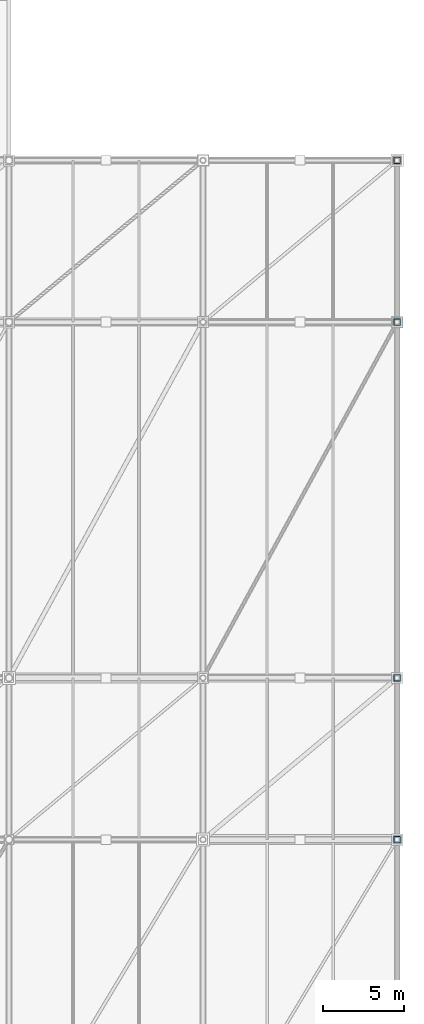
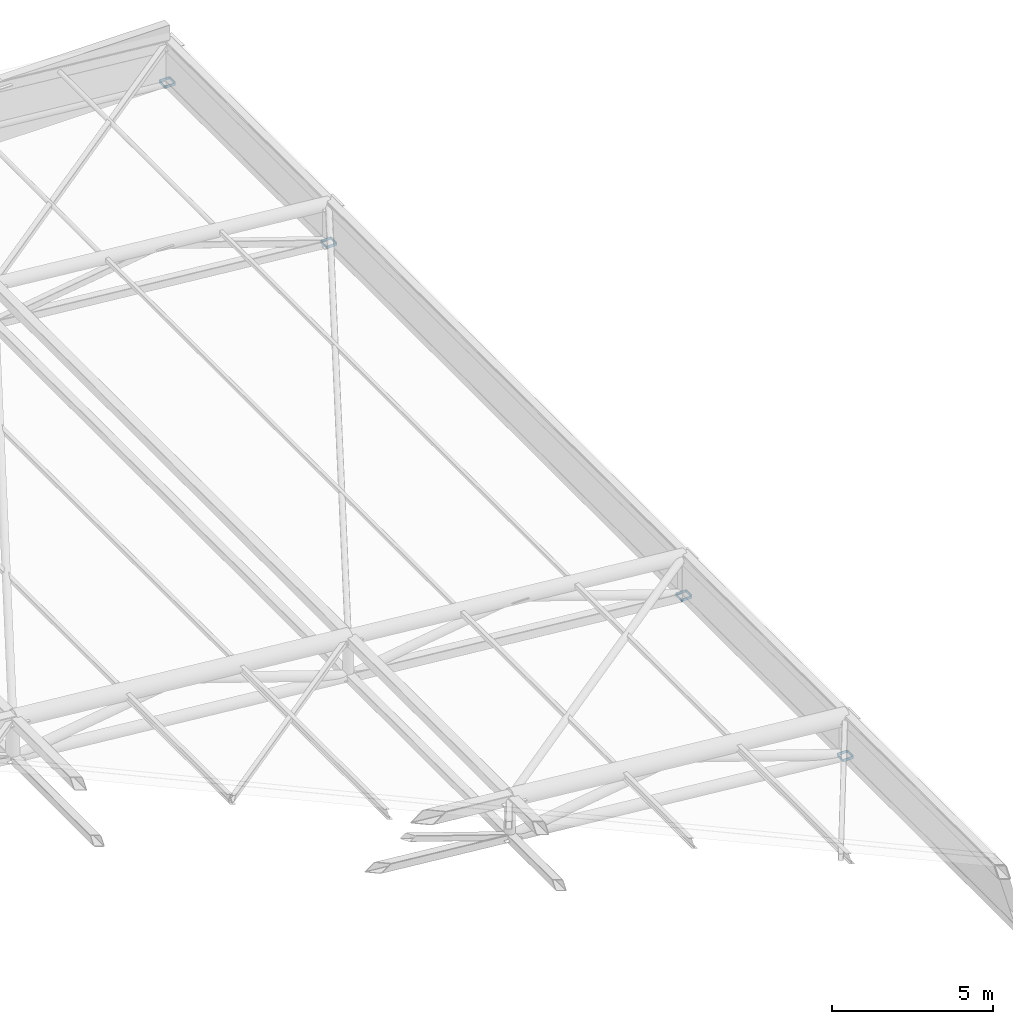
# One storey, part 4 of 44: 4 columns.
"""IFC4 building model written with IfcOpenShell, lengths in metres."""

from ifc_helpers import new_model, si_unit, direction, frame, origin, origin_2d, place, context, subcontext, project, spatial, hollow_rectangle, extrude, material, material_profile, profile_set, type_object, element, save


model = new_model("IFC4")

# Units and contexts
model_context = context("Model", 3, precision=1e-05, world=origin(), true_north=direction((0.0, 1.0)))
body_context = subcontext(model_context, "Body", "Model", "MODEL_VIEW")
ifc_project = project(units=[si_unit("LENGTHUNIT", "METRE"), si_unit("AREAUNIT", "SQUARE_METRE"), si_unit("VOLUMEUNIT", "CUBIC_METRE"), si_unit("PLANEANGLEUNIT", "RADIAN"), si_unit("MASSUNIT", "GRAM", prefix="KILO")], contexts=[model_context])

# Site, building, storey
site_placement = place(None, origin())
site = spatial("IfcSite", under=ifc_project, at=site_placement, CompositionType="ELEMENT")
building_placement = place(site_placement, origin())
building = spatial("IfcBuilding", under=site, at=building_placement, Name="Brinegate Civic Arena", CompositionType="ELEMENT")
storey_placement = place(building_placement, frame((0.0, 0.0, 29.39990234375)))
storey = spatial("IfcBuildingStorey", under=building, at=storey_placement, Name="RF", CompositionType="ELEMENT", Elevation=29.39990234375)

# Columns
ifc_material = material(Name="Steel S355", Category="steel")
ifc_material_profile = material_profile(ifc_material, hollow_rectangle(XDim=0.39990234375, YDim=0.39990234375, WallThickness=0.02001953125, InnerFilletRadius=0.02001953125, OuterFilletRadius=0.0400390625, at=origin_2d()), Name="SHS400X20")
ifc_profile_set = profile_set([ifc_material_profile], Name="Steel S355")
column_type = type_object("IfcColumnType", Name="COL-SC03-SHS400", PredefinedType="COLUMN", material=ifc_profile_set)
for number, where, z_axis, x_axis, name in (
    (1, (156.0, 72.0, 0.0), (0.0, 0.0, 1.0), (1.0, 0.0, 0.0), "Space Frame East Drum Column E-05-RF"),
    (2, (156.0, 82.0, 0.0), (0.0, 0.0, 1.0), (1.0, 0.0, 0.0), "Space Frame East Drum Column E-06-RF"),
    (3, (156.0, 104.0, 0.0), (0.0, 0.0, 1.0), (1.0, 0.0, 0.0), "Space Frame East Drum Column E-07-RF"),
    (4, (156.0, 114.0, 0.0), (0.0, 0.0, 1.0), (1.0, 0.0, 0.0), "Space Frame East Drum Column E-08-RF"),
):
    element("IfcColumn", number, at=place(storey_placement, frame(where, z_axis=z_axis, x_axis=x_axis)), inside=storey, type_object=column_type, Name=name, PredefinedType="COLUMN", context=body_context, shape_type="SweptSolid", body=[
        extrude(hollow_rectangle(XDim=0.39990234375, YDim=0.39990234375, WallThickness=0.02001953125, InnerFilletRadius=0.02001953125, OuterFilletRadius=0.0400390625, at=origin_2d()), origin(), (0.0, 0.0, 1.0), 0.10009765625),
    ])

save(model, "model.ifc")
